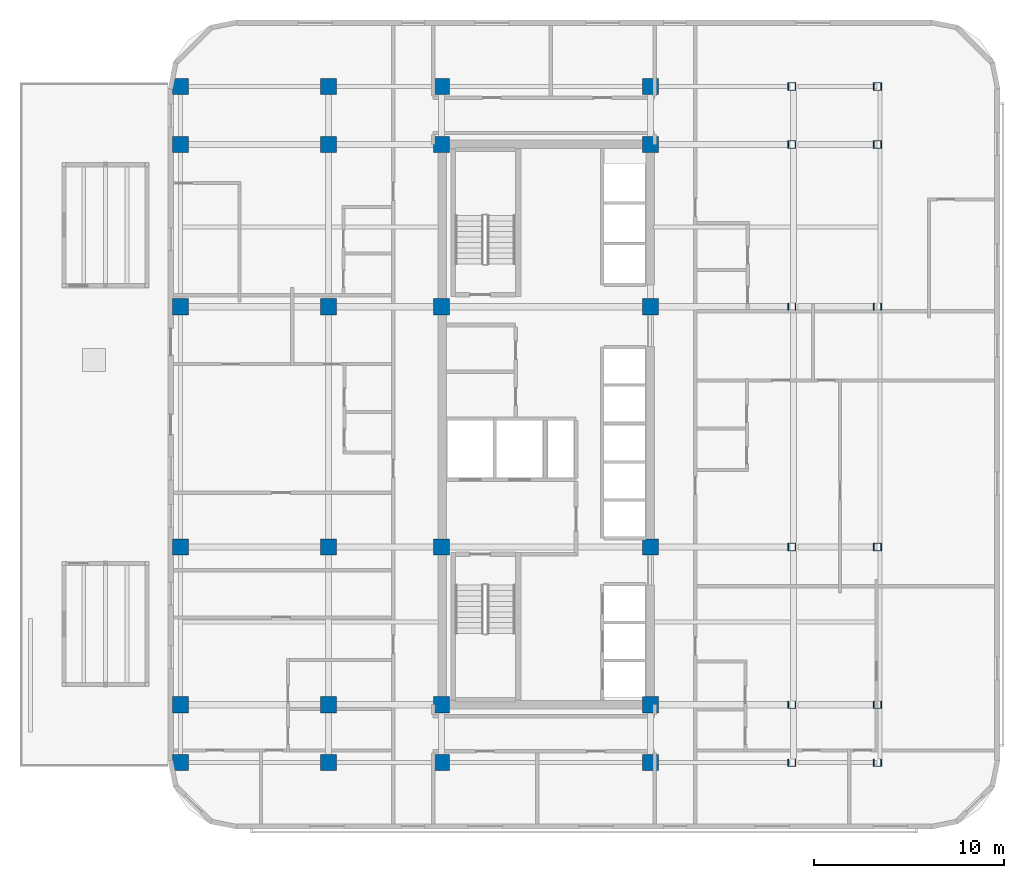
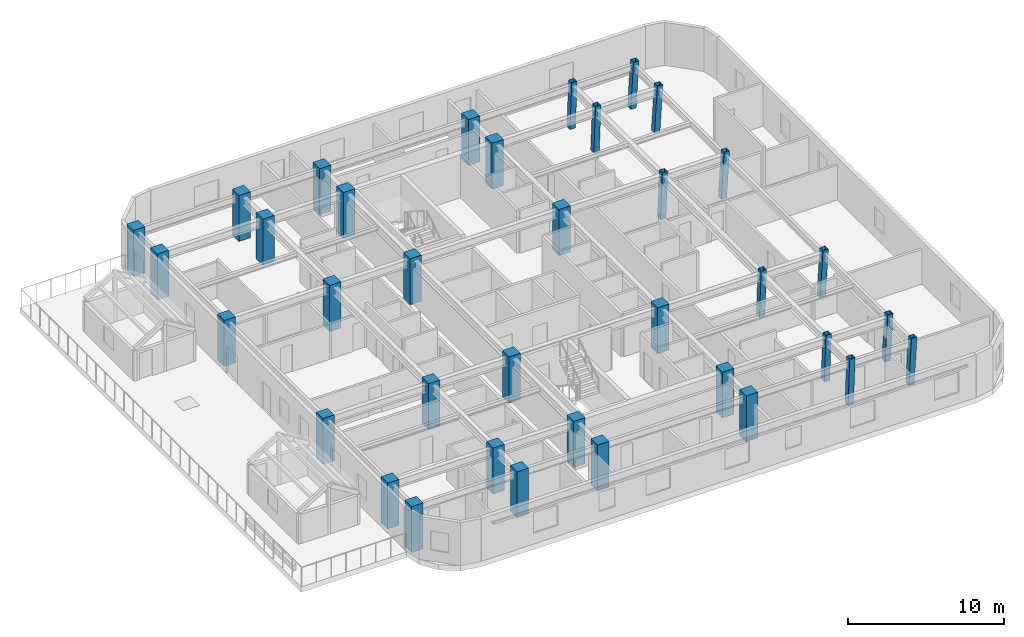
# One storey, part 1 of 19: 36 columns.
"""IFC4 building model written with IfcOpenShell, lengths in metres."""

from ifc_helpers import new_model, si_unit, direction, frame, origin, origin_2d, place, context, subcontext, project, spatial, rectangle, hollow_rectangle, extrude, material, material_profile, profile_set, type_object, element, save


model = new_model("IFC4")

# Units and contexts
model_context = context("Model", 3, precision=1e-05, world=origin(), true_north=direction((0.0, 1.0)))
body_context = subcontext(model_context, "Body", "Model", "MODEL_VIEW")
ifc_project = project(units=[si_unit("LENGTHUNIT", "METRE"), si_unit("AREAUNIT", "SQUARE_METRE"), si_unit("VOLUMEUNIT", "CUBIC_METRE"), si_unit("PLANEANGLEUNIT", "RADIAN"), si_unit("MASSUNIT", "GRAM", prefix="KILO")], contexts=[model_context])

# Site, building, storey
site_placement = place(None, origin())
site = spatial("IfcSite", under=ifc_project, at=site_placement, CompositionType="ELEMENT")
building_placement = place(site_placement, origin())
building = spatial("IfcBuilding", under=site, at=building_placement, Name="Ochreholt Gables", CompositionType="ELEMENT")
storey_placement = place(building_placement, frame((0.0, 0.0, 76.800048828125)))
storey = spatial("IfcBuildingStorey", under=building, at=storey_placement, Name="L19", CompositionType="ELEMENT", Elevation=76.800048828125)

# Columns
ifc_material_1 = material(Name="Steel CSA G40.21 350W", Category="steel")
ifc_material_profile_1 = material_profile(ifc_material_1, hollow_rectangle(XDim=0.406005859375, YDim=0.406005859375, WallThickness=0.01611328125, at=origin_2d()), Name="HSS406X406X16")
ifc_profile_set_1 = profile_set([ifc_material_profile_1], Name="Steel CSA G40.21 350W")
column_type_1 = type_object("IfcColumnType", Name="COL-HSS406-RAK", PredefinedType="COLUMN", material=ifc_profile_set_1)
for number, where, z_axis, x_axis, name in (
    (1, (42.6240234375, 9.25, 0.0), (0.034973505036, 0.0, 0.999388239847), (0.0, 1.0, 0.0), "L19 Column EMY2"),
    (2, (42.6240234375, 17.550048828125, 0.0), (0.034973505036, 0.0, 0.999388239847), (0.0, 1.0, 0.0), "L19 Column EMY3"),
    (3, (42.6240234375, 30.199951171875, 0.0), (0.034973505036, 0.0, 0.999388239847), (0.0, 1.0, 0.0), "L19 Column EMY4"),
    (4, (42.6240234375, 38.75, 0.0), (0.034973505036, 0.0, 0.999388239847), (0.0, 1.0, 0.0), "L19 Column EMY5"),
):
    element("IfcColumn", number, at=place(storey_placement, frame(where, z_axis=z_axis, x_axis=x_axis)), inside=storey, type_object=column_type_1, Name=name, PredefinedType="COLUMN", context=body_context, shape_type="SweptSolid", body=[
        extrude(hollow_rectangle(XDim=0.406005859375, YDim=0.406005859375, WallThickness=0.01611328125, at=origin_2d()), origin(), (0.0, 0.0, 1.0), 3.60205078125),
    ])
ifc_material_profile_2 = material_profile(ifc_material_1, hollow_rectangle(XDim=0.406005859375, YDim=0.406005859375, WallThickness=0.01611328125, at=origin_2d()), Name="HSS406X406X16")
ifc_profile_set_2 = profile_set([ifc_material_profile_2], Name="Steel CSA G40.21 350W")
column_type_2 = type_object("IfcColumnType", Name="COL-HSS406-RAKE", PredefinedType="COLUMN", material=ifc_profile_set_2)
for number, where, z_axis, x_axis, name in (
    (5, (42.6240234375, 6.199951171875, 0.0), (0.034973505036, 0.0, 0.999388239847), (0.0, 1.0, 0.0), "L19 Column EMY1"),
    (6, (42.6240234375, 41.800048828125, 0.0), (0.034973505036, 0.0, 0.999388239847), (0.0, 1.0, 0.0), "L19 Column EMY6"),
):
    element("IfcColumn", number, at=place(storey_placement, frame(where, z_axis=z_axis, x_axis=x_axis)), inside=storey, type_object=column_type_2, Name=name, PredefinedType="COLUMN", context=body_context, shape_type="SweptSolid", body=[
        extrude(hollow_rectangle(XDim=0.406005859375, YDim=0.406005859375, WallThickness=0.01611328125, at=origin_2d()), origin(), (0.0, 0.0, 1.0), 3.60205078125),
    ])
for number, where, z_axis, x_axis, name in (
    (7, (47.111083984375, 6.199951171875, 0.0), (0.057955997462, 0.0, 0.998319138531), (0.0, 1.0, 0.0), "L19 Column EEY1"),
    (8, (47.111083984375, 9.25, 0.0), (0.057955997462, 0.0, 0.998319138531), (0.0, 1.0, 0.0), "L19 Column EEY2"),
    (9, (47.111083984375, 17.550048828125, 0.0), (0.057955997462, 0.0, 0.998319138531), (0.0, 1.0, 0.0), "L19 Column EEY3"),
    (10, (47.111083984375, 30.199951171875, 0.0), (0.057955997462, 0.0, 0.998319138531), (0.0, 1.0, 0.0), "L19 Column EEY4"),
    (11, (47.111083984375, 38.75, 0.0), (0.057955997462, 0.0, 0.998319138531), (0.0, 1.0, 0.0), "L19 Column EEY5"),
    (12, (47.111083984375, 41.800048828125, 0.0), (0.057955997462, 0.0, 0.998319138531), (0.0, 1.0, 0.0), "L19 Column EEY6"),
):
    element("IfcColumn", number, at=place(storey_placement, frame(where, z_axis=z_axis, x_axis=x_axis)), inside=storey, type_object=column_type_2, Name=name, PredefinedType="COLUMN", context=body_context, shape_type="SweptSolid", body=[
        extrude(hollow_rectangle(XDim=0.406005859375, YDim=0.406005859375, WallThickness=0.01611328125, at=origin_2d()), origin(), (0.0, 0.0, 1.0), 3.60595703125),
    ])
ifc_material_2 = material(Name="Concrete 60 MPa", Category="concrete")
ifc_material_profile_3 = material_profile(ifc_material_2, rectangle(XDim=0.85009765625, YDim=0.85009765625, at=origin_2d()), Name="RC850X850")
ifc_profile_set_3 = profile_set([ifc_material_profile_3], Name="Concrete 60 MPa")
column_type_3 = type_object("IfcColumnType", Name="COL-RC850-EXT", PredefinedType="COLUMN", material=ifc_profile_set_3)
for number, where, z_axis, x_axis, name in (
    (13, (10.449951171875, 6.199951171875, 0.0), (0.0, 0.0, 1.0), (1.0, 0.0, 0.0), "L19 Column W2Y1"),
    (14, (10.449951171875, 9.25, 0.0), (0.0, 0.0, 1.0), (1.0, 0.0, 0.0), "L19 Column W2Y2"),
    (15, (10.449951171875, 17.550048828125, 0.0), (0.0, 0.0, 1.0), (1.0, 0.0, 0.0), "L19 Column W2Y3"),
    (16, (10.449951171875, 30.199951171875, 0.0), (0.0, 0.0, 1.0), (1.0, 0.0, 0.0), "L19 Column W2Y4"),
    (17, (10.449951171875, 38.75, 0.0), (0.0, 0.0, 1.0), (1.0, 0.0, 0.0), "L19 Column W2Y5"),
    (18, (10.449951171875, 41.800048828125, 0.0), (0.0, 0.0, 1.0), (1.0, 0.0, 0.0), "L19 Column W2Y6"),
    (19, (18.25, 6.199951171875, 0.0), (0.0, 0.0, 1.0), (1.0, 0.0, 0.0), "L19 Column W3Y1"),
    (20, (18.25, 41.800048828125, 0.0), (0.0, 0.0, 1.0), (1.0, 0.0, 0.0), "L19 Column W3Y6"),
    (21, (24.199951171875, 6.199951171875, 0.0), (0.0, 0.0, 1.0), (1.0, 0.0, 0.0), "L19 Column C1Y1"),
    (22, (24.199951171875, 41.800048828125, 0.0), (0.0, 0.0, 1.0), (1.0, 0.0, 0.0), "L19 Column C1Y6"),
    (23, (35.199951171875, 6.199951171875, 0.0), (0.0, 0.0, 1.0), (1.0, 0.0, 0.0), "L19 Column C2Y1"),
    (24, (35.199951171875, 41.800048828125, 0.0), (0.0, 0.0, 1.0), (1.0, 0.0, 0.0), "L19 Column C2Y6"),
):
    element("IfcColumn", number, at=place(storey_placement, frame(where, z_axis=z_axis, x_axis=x_axis)), inside=storey, type_object=column_type_3, Name=name, PredefinedType="COLUMN", context=body_context, shape_type="SweptSolid", body=[
        extrude(rectangle(XDim=0.85009765625, YDim=0.85009765625, at=origin_2d()), origin(), (0.0, 0.0, 1.0), 3.599853515625),
    ])
ifc_material_profile_4 = material_profile(ifc_material_2, rectangle(XDim=0.85009765625, YDim=0.85009765625, at=origin_2d()), Name="RC850X850")
ifc_profile_set_4 = profile_set([ifc_material_profile_4], Name="Concrete 60 MPa")
column_type_4 = type_object("IfcColumnType", Name="COL-RC850-INT", PredefinedType="COLUMN", material=ifc_profile_set_4)
for number, where, z_axis, x_axis, name in (
    (25, (18.25, 9.25, 0.0), (0.0, 0.0, 1.0), (1.0, 0.0, 0.0), "L19 Column W3Y2"),
    (26, (18.25, 17.550048828125, 0.0), (0.0, 0.0, 1.0), (1.0, 0.0, 0.0), "L19 Column W3Y3"),
    (27, (18.25, 30.199951171875, 0.0), (0.0, 0.0, 1.0), (1.0, 0.0, 0.0), "L19 Column W3Y4"),
    (28, (18.25, 38.75, 0.0), (0.0, 0.0, 1.0), (1.0, 0.0, 0.0), "L19 Column W3Y5"),
    (29, (24.199951171875, 9.25, 0.0), (0.0, 0.0, 1.0), (1.0, 0.0, 0.0), "L19 Column C1Y2"),
    (30, (24.199951171875, 17.550048828125, 0.0), (0.0, 0.0, 1.0), (1.0, 0.0, 0.0), "L19 Column C1Y3"),
    (31, (24.199951171875, 30.199951171875, 0.0), (0.0, 0.0, 1.0), (1.0, 0.0, 0.0), "L19 Column C1Y4"),
    (32, (24.199951171875, 38.75, 0.0), (0.0, 0.0, 1.0), (1.0, 0.0, 0.0), "L19 Column C1Y5"),
    (33, (35.199951171875, 9.25, 0.0), (0.0, 0.0, 1.0), (1.0, 0.0, 0.0), "L19 Column C2Y2"),
    (34, (35.199951171875, 17.550048828125, 0.0), (0.0, 0.0, 1.0), (1.0, 0.0, 0.0), "L19 Column C2Y3"),
    (35, (35.199951171875, 30.199951171875, 0.0), (0.0, 0.0, 1.0), (1.0, 0.0, 0.0), "L19 Column C2Y4"),
    (36, (35.199951171875, 38.75, 0.0), (0.0, 0.0, 1.0), (1.0, 0.0, 0.0), "L19 Column C2Y5"),
):
    element("IfcColumn", number, at=place(storey_placement, frame(where, z_axis=z_axis, x_axis=x_axis)), inside=storey, type_object=column_type_4, Name=name, PredefinedType="COLUMN", context=body_context, shape_type="SweptSolid", body=[
        extrude(rectangle(XDim=0.85009765625, YDim=0.85009765625, at=origin_2d()), origin(), (0.0, 0.0, 1.0), 3.599853515625),
    ])

save(model, "model.ifc")
